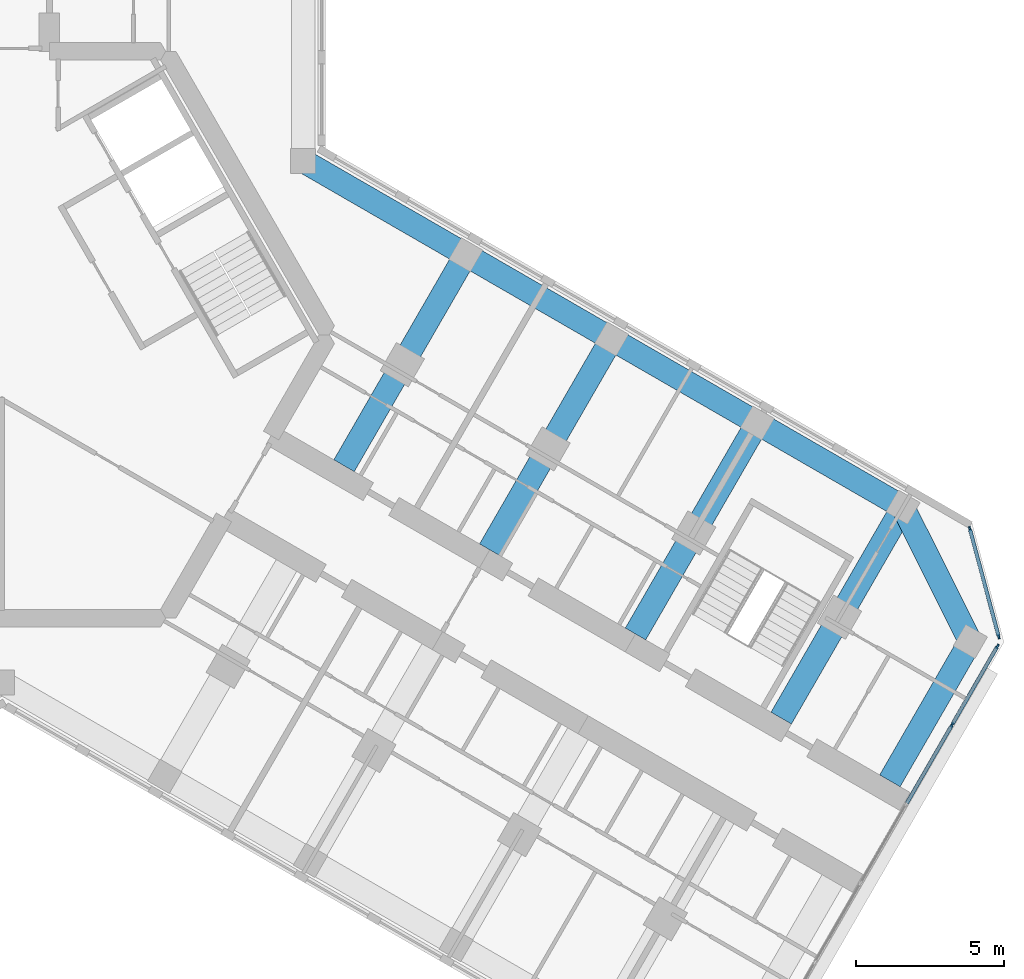
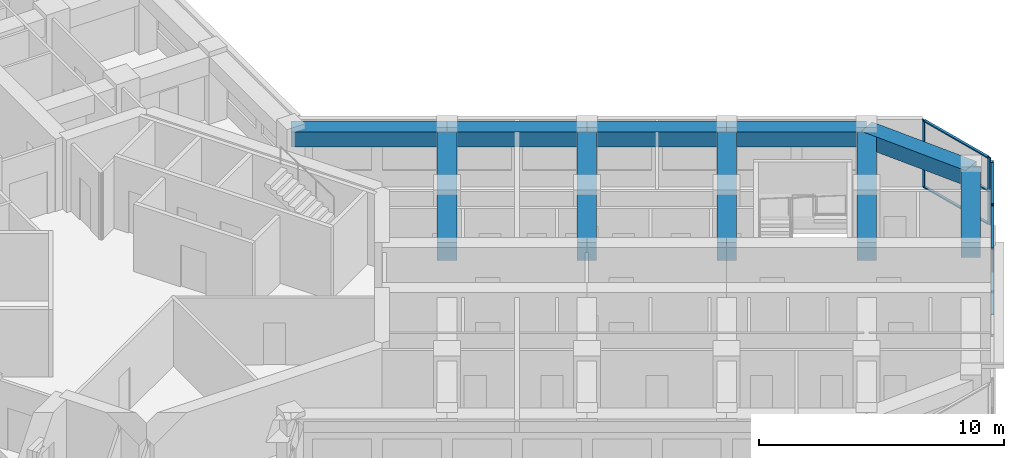
# One storey, part 5 of 16: 11 members, 10 beams, 2 elements without a shape of their own.
"""IFC4 building model written with IfcOpenShell, lengths in metres."""

from ifc_helpers import new_model, si_unit, direction, frame, origin, origin_2d, place, context, subcontext, project, spatial, rectangle, extrude, material, material_profile, profile_set, type_object, element, aggregate, save


model = new_model("IFC4")

# Units and contexts
model_context = context("Model", 3, precision=1e-05, world=origin(), true_north=direction((0.0, 1.0)))
body_context = subcontext(model_context, "Body", "Model", "MODEL_VIEW")
ifc_project = project(units=[si_unit("LENGTHUNIT", "METRE"), si_unit("AREAUNIT", "SQUARE_METRE"), si_unit("VOLUMEUNIT", "CUBIC_METRE"), si_unit("PLANEANGLEUNIT", "RADIAN"), si_unit("MASSUNIT", "GRAM", prefix="KILO")], contexts=[model_context])

# Site, building, storey
site_placement = place(None, origin())
site = spatial("IfcSite", under=ifc_project, at=site_placement, CompositionType="ELEMENT")
building_placement = place(site_placement, origin())
building = spatial("IfcBuilding", under=site, at=building_placement, Name="Kosmar Iwan School Tower", CompositionType="ELEMENT")
storey_placement = place(building_placement, frame((0.0, 0.0, 242.39990234375)))
storey = spatial("IfcBuildingStorey", under=building, at=storey_placement, Name="L61", CompositionType="ELEMENT", Elevation=242.39990234375)

# Curtain wall, members
ifc_material_1 = material(Name="Dark glass in black aluminium frame", Category="aluminium")
curtain_wall_type_1 = type_object("IfcCurtainWallType", Name="Tower curtain wall dark glass", PredefinedType="USERDEFINED", material=ifc_material_1)
curtain_wall_1_placement = place(storey_placement, origin())
curtain_wall_1 = element("IfcCurtainWall", 1, at=curtain_wall_1_placement, inside=storey, type_object=curtain_wall_type_1, Name="Curtain wall L61-F01", ObjectType="UNITISED CURTAIN WALL", PredefinedType="USERDEFINED")
ifc_material_2 = material(Name="Black anodised aluminium", Category="aluminium")
ifc_material_profile_1 = material_profile(ifc_material_2, rectangle(XDim=0.06005859375, YDim=0.159912109375, at=origin_2d()), Name="MULLION 60x160")
ifc_profile_set_1 = profile_set([ifc_material_profile_1], Name="Black anodised aluminium")
member_type_1 = type_object("IfcMemberType", Name="Mullion 60x160", PredefinedType="MULLION", material=ifc_profile_set_1)
member_1_placement = place(storey_placement, frame((32.1806640625, -13.21142578125, 0.0), z_axis=(0.0, 0.0, 1.0), x_axis=(-0.866025405329, 0.499999997325, 0.0)))
member_1 = element("IfcMember", 2, at=member_1_placement, type_object=member_type_1, Name="CW1 mullion 5", PredefinedType="MULLION", context=body_context, shape_type="SweptSolid", body=[
    extrude(rectangle(XDim=0.06005859375, YDim=0.159912109375, at=origin_2d()), origin(), (0.0, 0.0, 1.0), 3.35009765625),
])
member_2_placement = place(storey_placement, frame((33.71533203125, -10.55322265625, 0.0), z_axis=(0.0, 0.0, 1.0), x_axis=(-0.866025405329, 0.499999997325, 0.0)))
member_2 = element("IfcMember", 3, at=member_2_placement, type_object=member_type_1, Name="CW1 mullion 6", PredefinedType="MULLION", context=body_context, shape_type="SweptSolid", body=[
    extrude(rectangle(XDim=0.06005859375, YDim=0.159912109375, at=origin_2d()), origin(), (0.0, 0.0, 1.0), 3.35009765625),
])

ifc_material_3 = material(Name="Dark glass in black aluminium frame", Category="aluminium")
curtain_wall_type_2 = type_object("IfcCurtainWallType", Name="Chamfer curtain wall dark glass", PredefinedType="USERDEFINED", material=ifc_material_3)
curtain_wall_2_placement = place(storey_placement, origin())
curtain_wall_2 = element("IfcCurtainWall", 4, at=curtain_wall_2_placement, inside=storey, type_object=curtain_wall_type_2, Name="Curtain wall L61-F02", ObjectType="FACETED CURTAIN WALL", PredefinedType="USERDEFINED")
member_3_placement = place(storey_placement, frame((33.7587890625, -10.2236328125, 0.0), z_axis=(0.0, 0.0, 1.0), x_axis=(-0.965925875495, -0.258818861462, 0.0)))
member_3 = element("IfcMember", 5, at=member_3_placement, type_object=member_type_1, Name="CW2 mullion 1", PredefinedType="MULLION", context=body_context, shape_type="SweptSolid", body=[
    extrude(rectangle(XDim=0.06005859375, YDim=0.159912109375, at=origin_2d()), origin(), (0.0, 0.0, 1.0), 3.35009765625),
])
member_4_placement = place(storey_placement, frame((32.78076171875, -6.5732421875, 0.0), z_axis=(0.0, 0.0, 1.0), x_axis=(-0.965925875495, -0.258818861462, 0.0)))
member_4 = element("IfcMember", 6, at=member_4_placement, type_object=member_type_1, Name="CW2 mullion 2", PredefinedType="MULLION", context=body_context, shape_type="SweptSolid", body=[
    extrude(rectangle(XDim=0.06005859375, YDim=0.159912109375, at=origin_2d()), origin(), (0.0, 0.0, 1.0), 3.35009765625),
])

# Beams
ifc_material_4 = material(Name="Concrete C50/60", Category="concrete")
ifc_material_profile_2 = material_profile(ifc_material_4, rectangle(XDim=0.800048828125, YDim=0.75, at=origin_2d()), Name="RC 800x750")
ifc_profile_set_2 = profile_set([ifc_material_profile_2], Name="Concrete C50/60")
beam_type_1 = type_object("IfcBeamType", Name="RC edge beam 800x750", PredefinedType="BEAM", material=ifc_profile_set_2)
beam_1_placement = place(storey_placement, frame((10.199951171875, 5.888916015625, 2.97509765625), z_axis=(0.866030912664, -0.49999045822, 0.0), x_axis=(0.49999045822, 0.866030912664, 0.0)))
element("IfcBeam", 7, at=beam_1_placement, inside=storey, type_object=beam_type_1, Name="Edge beam CL1", PredefinedType="BEAM", context=body_context, shape_type="SweptSolid", body=[
    extrude(rectangle(XDim=0.800048828125, YDim=0.75, at=origin_2d()), origin(), (0.0, 0.0, 1.0), 6.36083984375),
])
beam_2_placement = place(storey_placement, frame((15.708740234375, 2.70849609375, 2.97509765625), z_axis=(0.866025820012, -0.499999279071, 0.0), x_axis=(0.499999279071, 0.866025820012, 0.0)))
element("IfcBeam", 8, at=beam_2_placement, inside=storey, type_object=beam_type_1, Name="Edge beam CL2", PredefinedType="BEAM", context=body_context, shape_type="SweptSolid", body=[
    extrude(rectangle(XDim=0.800048828125, YDim=0.75, at=origin_2d()), origin(), (0.0, 0.0, 1.0), 5.7001953125),
])
for number, where, z_axis, x_axis, name in (
    (9, (20.645263671875, -0.1416015625, 2.97509765625), (0.866033658841, -0.49998570155, 0.0), (0.49998570155, 0.866033658841, 0.0), "Edge beam CL3"),
    (10, (25.58154296875, -2.991455078125, 2.97509765625), (0.866015111908, -0.50001782563, 0.0), (0.50001782563, 0.866015111908, 0.0), "Edge beam CL4"),
):
    element("IfcBeam", number, at=place(storey_placement, frame(where, z_axis=z_axis, x_axis=x_axis)), inside=storey, type_object=beam_type_1, Name=name, PredefinedType="BEAM", context=body_context, shape_type="SweptSolid", body=[
        extrude(rectangle(XDim=0.800048828125, YDim=0.75, at=origin_2d()), origin(), (0.0, 0.0, 1.0), 5.699951171875),
    ])
ifc_material_5 = material(Name="Concrete C50/60", Category="concrete")
ifc_material_profile_3 = material_profile(ifc_material_5, rectangle(XDim=0.800048828125, YDim=0.75, at=origin_2d()), Name="RC 800x750")
ifc_profile_set_3 = profile_set([ifc_material_profile_3], Name="Concrete C50/60")
beam_type_2 = type_object("IfcBeamType", Name="RC tip beam 800x750", PredefinedType="BEAM", material=ifc_profile_set_3)
beam_3_placement = place(storey_placement, frame((30.517822265625, -5.841552734375, 2.97509765625), z_axis=(0.44809604203, -0.893985423325, 0.0), x_axis=(0.893985423325, 0.44809604203, 0.0)))
element("IfcBeam", 11, at=beam_3_placement, inside=storey, type_object=beam_type_2, Name="Tip beam CL", PredefinedType="BEAM", context=body_context, shape_type="SweptSolid", body=[
    extrude(rectangle(XDim=0.800048828125, YDim=0.75, at=origin_2d()), origin(), (0.0, 0.0, 1.0), 5.08935546875),
])
beam_4_placement = place(storey_placement, frame((32.79833984375, -10.391357421875, 2.97509765625), z_axis=(-0.49996933381, -0.866043108194, 0.0), x_axis=(0.866043108194, -0.49996933381, 0.0)))
element("IfcBeam", 12, at=beam_4_placement, inside=storey, type_object=beam_type_2, Name="Tip beam CL to corridor wall", PredefinedType="BEAM", context=body_context, shape_type="SweptSolid", body=[
    extrude(rectangle(XDim=0.800048828125, YDim=0.75, at=origin_2d()), origin(), (0.0, 0.0, 1.0), 5.449951171875),
])
ifc_material_6 = material(Name="Concrete C50/60", Category="concrete")
ifc_material_profile_4 = material_profile(ifc_material_6, rectangle(XDim=0.800048828125, YDim=0.89990234375, at=origin_2d()), Name="RC 800x900")
ifc_profile_set_4 = profile_set([ifc_material_profile_4], Name="Concrete C50/60")
beam_type_3 = type_object("IfcBeamType", Name="RC transverse beam 800x900", PredefinedType="BEAM", material=ifc_profile_set_4)
beam_5_placement = place(storey_placement, frame((15.708740234375, 2.70849609375, 2.900146484375), z_axis=(-0.499996545922, -0.866027397988, 0.0), x_axis=(0.866027397988, -0.499996545922, 0.0)))
element("IfcBeam", 13, at=beam_5_placement, inside=storey, type_object=beam_type_3, Name="Transverse beam CL1", PredefinedType="BEAM", context=body_context, shape_type="SweptSolid", body=[
    extrude(rectangle(XDim=0.800048828125, YDim=0.89990234375, at=origin_2d()), origin(), (0.0, 0.0, 1.0), 8.25),
])
beam_6_placement = place(storey_placement, frame((20.645263671875, -0.1416015625, 2.900146484375), z_axis=(-0.500009360108, -0.866019999656, 0.0), x_axis=(0.866019999656, -0.500009360108, 0.0)))
element("IfcBeam", 14, at=beam_6_placement, inside=storey, type_object=beam_type_3, Name="Transverse beam CL2", PredefinedType="BEAM", context=body_context, shape_type="SweptSolid", body=[
    extrude(rectangle(XDim=0.800048828125, YDim=0.89990234375, at=origin_2d()), origin(), (0.0, 0.0, 1.0), 8.249755859375),
])
for number, where, z_axis, x_axis, name in (
    (15, (25.58154296875, -2.991455078125, 2.900146484375), (-0.499996545922, -0.866027397988, 0.0), (0.866027397988, -0.499996545922, 0.0), "Transverse beam CL3"),
    (16, (30.517822265625, -5.841552734375, 2.900146484375), (-0.499996545922, -0.866027397988, 0.0), (0.866027397988, -0.499996545922, 0.0), "Transverse beam CL4"),
):
    element("IfcBeam", number, at=place(storey_placement, frame(where, z_axis=z_axis, x_axis=x_axis)), inside=storey, type_object=beam_type_3, Name=name, PredefinedType="BEAM", context=body_context, shape_type="SweptSolid", body=[
        extrude(rectangle(XDim=0.800048828125, YDim=0.89990234375, at=origin_2d()), origin(), (0.0, 0.0, 1.0), 8.25),
    ])

# Member
ifc_material_7 = material(Name="Black anodised aluminium", Category="aluminium")
ifc_material_profile_5 = material_profile(ifc_material_7, rectangle(XDim=0.1201171875, YDim=0.06005859375, at=origin_2d()), Name="TRANSOM 60x120")
ifc_profile_set_5 = profile_set([ifc_material_profile_5], Name="Black anodised aluminium")
member_type_2 = type_object("IfcMemberType", Name="Transom 60x120", PredefinedType="USERDEFINED", material=ifc_profile_set_5)
member_5_placement = place(storey_placement, frame((30.64599609375, -15.869384765625, 0.030029296875), z_axis=(0.500035348339, 0.866004994449, 0.0), x_axis=(-0.866004994449, 0.500035348339, 0.0)))
member_5 = element("IfcMember", 17, at=member_5_placement, type_object=member_type_2, Name="CW1 transom 4.1", ObjectType="TRANSOM", PredefinedType="USERDEFINED", context=body_context, shape_type="SweptSolid", body=[
    extrude(rectangle(XDim=0.1201171875, YDim=0.06005859375, at=origin_2d()), origin(), (0.0, 0.0, 1.0), 3.039306640625),
])

member_6_placement = place(storey_placement, frame((30.64599609375, -15.869384765625, 3.320068359375), z_axis=(0.500035348339, 0.866004994449, 0.0), x_axis=(-0.866004994449, 0.500035348339, 0.0)))
member_6 = element("IfcMember", 18, at=member_6_placement, type_object=member_type_2, Name="CW1 transom 4.2", ObjectType="TRANSOM", PredefinedType="USERDEFINED", context=body_context, shape_type="SweptSolid", body=[
    extrude(rectangle(XDim=0.1201171875, YDim=0.06005859375, at=origin_2d()), origin(), (0.0, 0.0, 1.0), 3.039306640625),
])

member_7_placement = place(storey_placement, frame((32.19580078125, -13.185302734375, 0.030029296875), z_axis=(0.500022102064, 0.866012642776, 0.0), x_axis=(-0.866012642776, 0.500022102064, 0.0)))
member_7 = element("IfcMember", 19, at=member_7_placement, type_object=member_type_2, Name="CW1 transom 5.1", ObjectType="TRANSOM", PredefinedType="USERDEFINED", context=body_context, shape_type="SweptSolid", body=[
    extrude(rectangle(XDim=0.1201171875, YDim=0.06005859375, at=origin_2d()), origin(), (0.0, 0.0, 1.0), 3.009033203125),
])

member_8_placement = place(storey_placement, frame((32.19580078125, -13.185302734375, 3.320068359375), z_axis=(0.500022102064, 0.866012642776, 0.0), x_axis=(-0.866012642776, 0.500022102064, 0.0)))
member_8 = element("IfcMember", 20, at=member_8_placement, type_object=member_type_2, Name="CW1 transom 5.2", ObjectType="TRANSOM", PredefinedType="USERDEFINED", context=body_context, shape_type="SweptSolid", body=[
    extrude(rectangle(XDim=0.1201171875, YDim=0.06005859375, at=origin_2d()), origin(), (0.0, 0.0, 1.0), 3.009033203125),
])

aggregate(curtain_wall_1, [member_1, member_2, member_5, member_6, member_7, member_8])

member_9_placement = place(storey_placement, frame((33.7509765625, -10.194580078125, 0.030029296875), z_axis=(-0.258843273983, 0.965919333854, 0.0), x_axis=(-0.965919333854, -0.258843273983, 0.0)))
member_9 = element("IfcMember", 21, at=member_9_placement, type_object=member_type_2, Name="CW2 transom 1.1", ObjectType="TRANSOM", PredefinedType="USERDEFINED", context=body_context, shape_type="SweptSolid", body=[
    extrude(rectangle(XDim=0.1201171875, YDim=0.06005859375, at=origin_2d()), origin(), (0.0, 0.0, 1.0), 3.718994140625),
])

member_10_placement = place(storey_placement, frame((33.7509765625, -10.194580078125, 1.675048828125), z_axis=(-0.258843273983, 0.965919333854, 0.0), x_axis=(-0.965919333854, -0.258843273983, 0.0)))
member_10 = element("IfcMember", 22, at=member_10_placement, type_object=member_type_2, Name="CW2 transom 1.2", ObjectType="TRANSOM", PredefinedType="USERDEFINED", context=body_context, shape_type="SweptSolid", body=[
    extrude(rectangle(XDim=0.1201171875, YDim=0.06005859375, at=origin_2d()), origin(), (0.0, 0.0, 1.0), 3.718994140625),
])

member_11_placement = place(storey_placement, frame((33.7509765625, -10.194580078125, 3.320068359375), z_axis=(-0.258843273983, 0.965919333854, 0.0), x_axis=(-0.965919333854, -0.258843273983, 0.0)))
member_11 = element("IfcMember", 23, at=member_11_placement, type_object=member_type_2, Name="CW2 transom 1.3", ObjectType="TRANSOM", PredefinedType="USERDEFINED", context=body_context, shape_type="SweptSolid", body=[
    extrude(rectangle(XDim=0.1201171875, YDim=0.06005859375, at=origin_2d()), origin(), (0.0, 0.0, 1.0), 3.718994140625),
])

aggregate(curtain_wall_2, [member_3, member_4, member_9, member_10, member_11])

save(model, "model.ifc")
